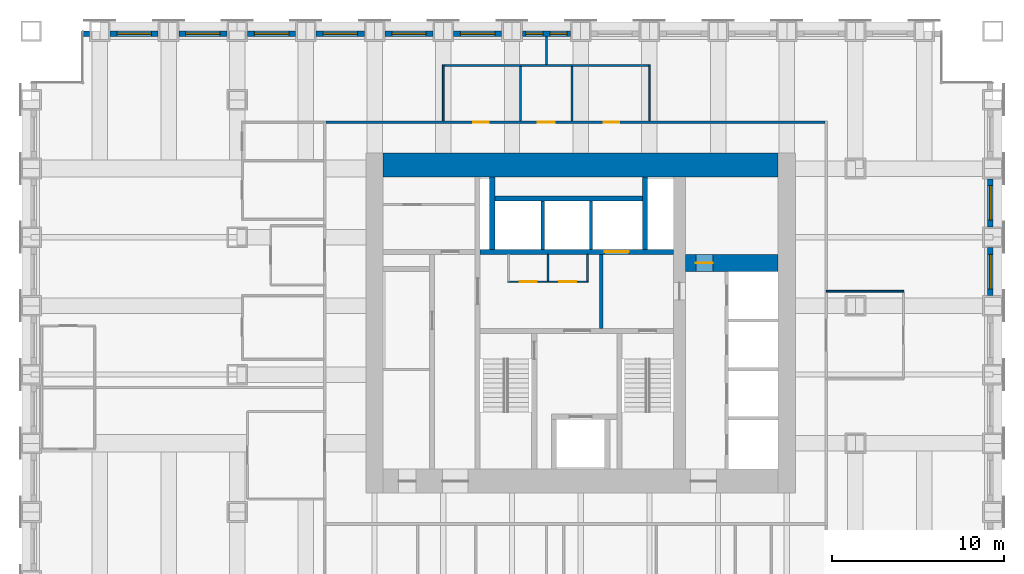
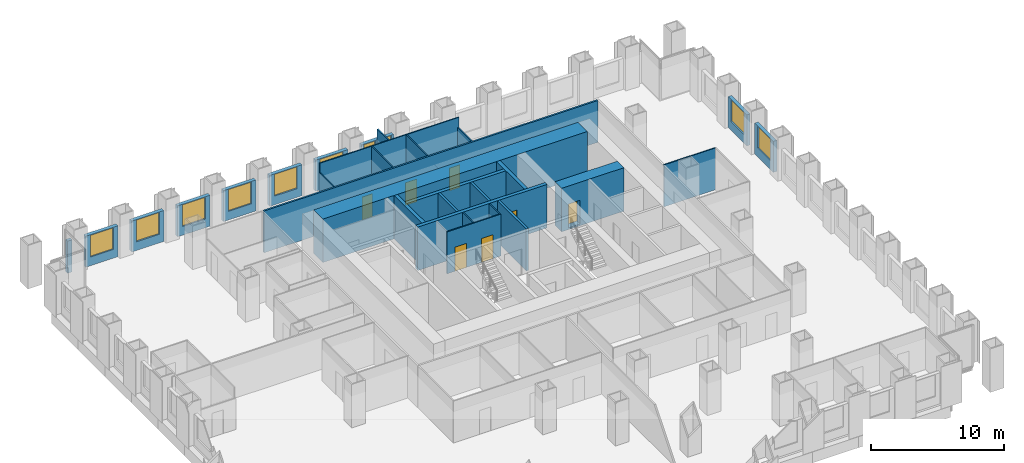
# One storey, part 12 of 15: 30 walls, 10 windows, 7 doors, 17 openings.
"""IFC4 building model written with IfcOpenShell, lengths in metres."""

from ifc_helpers import new_model, si_unit, direction, frame, frame_2d, origin, place, context, subcontext, project, spatial, rectangle, extrude, material, layer, layer_set, type_object, element, fill, save


model = new_model("IFC4")

# Units and contexts
model_context = context("Model", 3, precision=1e-05, world=origin(), true_north=direction((0.0, 1.0)))
body_context = subcontext(model_context, "Body", "Model", "MODEL_VIEW")
ifc_project = project(units=[si_unit("LENGTHUNIT", "METRE"), si_unit("AREAUNIT", "SQUARE_METRE"), si_unit("VOLUMEUNIT", "CUBIC_METRE"), si_unit("PLANEANGLEUNIT", "RADIAN"), si_unit("MASSUNIT", "GRAM", prefix="KILO")], contexts=[model_context])

# Site, building, storey
site_placement = place(None, origin())
site = spatial("IfcSite", under=ifc_project, at=site_placement, CompositionType="ELEMENT")
building_placement = place(site_placement, origin())
building = spatial("IfcBuilding", under=site, at=building_placement, Name="Rimbunsela Tower", CompositionType="ELEMENT")
storey_placement = place(building_placement, frame((0.0, 0.0, 31.0)))
storey = spatial("IfcBuildingStorey", under=building, at=storey_placement, Name="L07", CompositionType="ELEMENT", Elevation=31.0)

# Wall, opening, door
ifc_material_1 = material(Name="Concrete fc' 80 MPa", Category="concrete")
ifc_layer_1 = layer(ifc_material_1, 0.300048828125)
ifc_layer_set_1 = layer_set([ifc_layer_1], Name="Core internal wall 300")
wall_type_1 = type_object("IfcWallType", Name="Core internal wall 300", PredefinedType="SHEAR", material=ifc_layer_set_1)
wall_1_placement = place(storey_placement, frame((24.14990234375, 31.14990234375, -0.14990234375), z_axis=(0.0, 0.0, 1.0), x_axis=(1.0, 0.0, 0.0)))
wall_1 = element("IfcWall", 1, at=wall_1_placement, inside=storey, type_object=wall_type_1, Name="Lift shaft front north", PredefinedType="SHEAR", context=body_context, shape_type="SweptSolid", body=[
    extrude(rectangle(XDim=11.25, YDim=0.300048828125, at=frame_2d((5.625, 0.0))), origin(), (0.0, 0.0, 1.0), 4.0),
])
opening_1_placement = place(wall_1_placement, frame((7.25, 0.0, 0.14990234375)))
opening_1 = element("IfcOpeningElement", 2, at=opening_1_placement, cuts=wall_1, Name="Opening LD3", PredefinedType="OPENING", context=body_context, shape_type="SweptSolid", body=[
    extrude(rectangle(XDim=1.39990234375, YDim=2.39990234375, at=frame_2d((0.699951171875, 1.199951171875))), frame((0.0, 0.159912109375, 0.0), z_axis=(0.0, -1.0, 0.0), x_axis=(1.0, 0.0, 0.0)), (0.0, 0.0, 1.0), 0.320068359375),
])
ifc_material_2 = material(Name="Steel door, fire rated", Category="steel")
door_type_1 = type_object("IfcDoorType", Name="Lift landing door 1400", OperationType="DOUBLE_DOOR_SLIDING", PredefinedType="DOOR", material=ifc_material_2)
door_1_placement = place(opening_1_placement, origin())
door_1 = element("IfcDoor", 3, at=door_1_placement, inside=storey, type_object=door_type_1, Name="Lift landing door FL2", OperationType="DOUBLE_DOOR_SLIDING", OverallHeight=2.39990234375, OverallWidth=1.39990234375, PredefinedType="DOOR", context=body_context, shape_type="SweptSolid", body=[
    extrude(rectangle(XDim=1.39990234375, YDim=2.39990234375, at=frame_2d((0.699951171875, 1.199951171875))), frame((0.0, 0.02490234375, 0.0), z_axis=(0.0, -1.0, 0.0), x_axis=(1.0, 0.0, 0.0)), (0.0, 0.0, 1.0), 0.050048828125),
])
fill(opening_1, door_1)

# Walls
for number, where, z_axis, x_axis, name in (
    (4, (24.85009765625, 31.300048828125, -0.14990234375), (0.0, 0.0, 1.0), (0.0, 1.0, 0.0), "Riser wall"),
    (5, (33.75, 31.300048828125, -0.14990234375), (0.0, 0.0, 1.0), (0.0, 1.0, 0.0), "Riser wall"),
):
    element("IfcWall", number, at=place(storey_placement, frame(where, z_axis=z_axis, x_axis=x_axis)), inside=storey, type_object=wall_type_1, Name=name, PredefinedType="SHEAR", context=body_context, shape_type="SweptSolid", body=[
        extrude(rectangle(XDim=4.199951171875, YDim=0.300048828125, at=frame_2d((2.10009765625, 0.0))), origin(), (0.0, 0.0, 1.0), 4.0),
    ])
wall_2_placement = place(storey_placement, frame((25.0, 34.25, -0.14990234375), z_axis=(0.0, 0.0, 1.0), x_axis=(1.0, 0.0, 0.0)))
element("IfcWall", 6, at=wall_2_placement, inside=storey, type_object=wall_type_1, Name="Lift shaft rear north", PredefinedType="SHEAR", context=body_context, shape_type="SweptSolid", body=[
    extrude(rectangle(XDim=8.60009765625, YDim=0.300048828125, at=frame_2d((4.300048828125, 0.0))), origin(), (0.0, 0.0, 1.0), 4.0),
])

# Wall, openings, doors
ifc_material_3 = material(Name="Concrete blockwork", Category="masonry")
ifc_layer_2 = layer(ifc_material_3, 0.10009765625)
ifc_layer_set_2 = layer_set([ifc_layer_2], Name="Core room partition 100")
wall_type_2 = type_object("IfcWallType", Name="Core room partition 100", PredefinedType="PARTITIONING", material=ifc_layer_set_2)
wall_3_placement = place(storey_placement, frame((25.75, 29.39990234375, 0.0), z_axis=(0.0, 0.0, 1.0), x_axis=(1.0, 0.0, 0.0)))
wall_3 = element("IfcWall", 7, at=wall_3_placement, inside=storey, type_object=wall_type_2, Name="Lobby room wall", PredefinedType="PARTITIONING", context=body_context, shape_type="SweptSolid", body=[
    extrude(rectangle(XDim=4.699951171875, YDim=0.10009765625, at=frame_2d((2.35009765625, 0.0))), origin(), (0.0, 0.0, 1.0), 3.85009765625),
])
opening_2_placement = place(wall_3_placement, frame((0.699951171875, 0.0, 0.0)))
opening_2 = element("IfcOpeningElement", 8, at=opening_2_placement, cuts=wall_3, Name="Opening D19", PredefinedType="OPENING", context=body_context, shape_type="SweptSolid", body=[
    extrude(rectangle(XDim=1.0, YDim=2.199951171875, at=frame_2d((0.5, 1.10009765625))), frame((0.0, 0.06005859375, 0.0), z_axis=(0.0, -1.0, 0.0), x_axis=(1.0, 0.0, 0.0)), (0.0, 0.0, 1.0), 0.1201171875),
])
opening_3_placement = place(wall_3_placement, frame((3.0, 0.0, 0.0)))
opening_3 = element("IfcOpeningElement", 9, at=opening_3_placement, cuts=wall_3, Name="Opening D19", PredefinedType="OPENING", context=body_context, shape_type="SweptSolid", body=[
    extrude(rectangle(XDim=1.0, YDim=2.199951171875, at=frame_2d((0.5, 1.10009765625))), frame((0.0, 0.06005859375, 0.0), z_axis=(0.0, -1.0, 0.0), x_axis=(1.0, 0.0, 0.0)), (0.0, 0.0, 1.0), 0.1201171875),
])
ifc_material_4 = material(Name="Steel door, fire rated", Category="steel")
door_type_2 = type_object("IfcDoorType", Name="Service door 1000 fire rated", OperationType="SINGLE_SWING_LEFT", PredefinedType="DOOR", material=ifc_material_4)
door_2_placement = place(opening_2_placement, origin())
door_2 = element("IfcDoor", 10, at=door_2_placement, inside=storey, type_object=door_type_2, Name="Facilities store door", OperationType="SINGLE_SWING_LEFT", OverallHeight=2.199951171875, OverallWidth=1.0, PredefinedType="DOOR", context=body_context, shape_type="SweptSolid", body=[
    extrude(rectangle(XDim=1.0, YDim=2.199951171875, at=frame_2d((0.5, 1.10009765625))), frame((0.0, 0.02490234375, 0.0), z_axis=(0.0, -1.0, 0.0), x_axis=(1.0, 0.0, 0.0)), (0.0, 0.0, 1.0), 0.050048828125),
])
fill(opening_2, door_2)
door_3_placement = place(opening_3_placement, origin())
door_3 = element("IfcDoor", 11, at=door_3_placement, inside=storey, type_object=door_type_2, Name="IT room door", OperationType="SINGLE_SWING_LEFT", OverallHeight=2.199951171875, OverallWidth=1.0, PredefinedType="DOOR", context=body_context, shape_type="SweptSolid", body=[
    extrude(rectangle(XDim=1.0, YDim=2.199951171875, at=frame_2d((0.5, 1.10009765625))), frame((0.0, 0.02490234375, 0.0), z_axis=(0.0, -1.0, 0.0), x_axis=(1.0, 0.0, 0.0)), (0.0, 0.0, 1.0), 0.050048828125),
])
fill(opening_3, door_3)

# Walls
for number, where, z_axis, x_axis, name in (
    (12, (30.39990234375, 29.449951171875, 0.0), (0.0, 0.0, 1.0), (0.0, 1.0, 0.0), "Lobby room wall"),
    (13, (28.10009765625, 29.449951171875, 0.0), (0.0, 0.0, 1.0), (0.0, 1.0, 0.0), "Lobby room wall"),
):
    element("IfcWall", number, at=place(storey_placement, frame(where, z_axis=z_axis, x_axis=x_axis)), inside=storey, type_object=wall_type_2, Name=name, PredefinedType="PARTITIONING", context=body_context, shape_type="SweptSolid", body=[
        extrude(rectangle(XDim=1.550048828125, YDim=0.10009765625, at=frame_2d((0.77490234375, 0.0))), origin(), (0.0, 0.0, 1.0), 3.85009765625),
    ])

# Wall, opening, door
ifc_material_5 = material(Name="Concrete fc' 80 MPa", Category="concrete")
ifc_layer_3 = layer(ifc_material_5, 1.0)
ifc_layer_set_3 = layer_set([ifc_layer_3], Name="Core wall 1000")
wall_type_3 = type_object("IfcWallType", Name="Core wall 1000", PredefinedType="SHEAR", material=ifc_layer_set_3)
wall_4_placement = place(storey_placement, frame((36.10009765625, 30.5, -0.14990234375), z_axis=(0.0, 0.0, 1.0), x_axis=(1.0, 0.0, 0.0)))
wall_4 = element("IfcWall", 14, at=wall_4_placement, inside=storey, type_object=wall_type_3, Name="Lift shaft rear east", PredefinedType="SHEAR", context=body_context, shape_type="SweptSolid", body=[
    extrude(rectangle(XDim=5.39990234375, YDim=1.0, at=frame_2d((2.699951171875, 0.0))), origin(), (0.0, 0.0, 1.0), 4.0),
])
opening_4_placement = place(wall_4_placement, frame((0.60009765625, 0.0, 0.14990234375)))
opening_4 = element("IfcOpeningElement", 15, at=opening_4_placement, cuts=wall_4, Name="Opening D19", PredefinedType="OPENING", context=body_context, shape_type="SweptSolid", body=[
    extrude(rectangle(XDim=1.0, YDim=2.199951171875, at=frame_2d((0.5, 1.10009765625))), frame((0.0, 0.510009765625, 0.0), z_axis=(0.0, -1.0, 0.0), x_axis=(1.0, 0.0, 0.0)), (0.0, 0.0, 1.0), 1.02001953125),
])
door_4_placement = place(opening_4_placement, origin())
door_4 = element("IfcDoor", 16, at=door_4_placement, inside=storey, type_object=door_type_2, Name="Communications room door", OperationType="SINGLE_SWING_LEFT", OverallHeight=2.199951171875, OverallWidth=1.0, PredefinedType="DOOR", context=body_context, shape_type="SweptSolid", body=[
    extrude(rectangle(XDim=1.0, YDim=2.199951171875, at=frame_2d((0.5, 1.10009765625))), frame((0.0, 0.02490234375, 0.0), z_axis=(0.0, -1.0, 0.0), x_axis=(1.0, 0.0, 0.0)), (0.0, 0.0, 1.0), 0.050048828125),
])
fill(opening_4, door_4)

# Walls
ifc_material_6 = material(Name="Concrete fc' 80 MPa", Category="concrete")
ifc_layer_4 = layer(ifc_material_6, 1.39990234375)
ifc_layer_set_4 = layer_set([ifc_layer_4], Name="Core wall 1400")
wall_type_4 = type_object("IfcWallType", Name="Core wall 1400", PredefinedType="SHEAR", material=ifc_layer_set_4)
wall_5_placement = place(storey_placement, frame((18.5, 36.199951171875, -0.14990234375), z_axis=(0.0, 0.0, 1.0), x_axis=(1.0, 0.0, 0.0)))
element("IfcWall", 17, at=wall_5_placement, inside=storey, type_object=wall_type_4, Name="Core wall north", PredefinedType="SHEAR", context=body_context, shape_type="SweptSolid", body=[
    extrude(rectangle(XDim=23.0, YDim=1.39990234375, at=frame_2d((11.5, 0.0))), origin(), (0.0, 0.0, 1.0), 4.0),
])
ifc_material_7 = material(Name="Concrete blockwork", Category="masonry")
ifc_layer_5 = layer(ifc_material_7, 0.199951171875)
ifc_layer_set_5 = layer_set([ifc_layer_5], Name="Lift shaft wall 200")
wall_type_5 = type_object("IfcWallType", Name="Lift shaft wall 200", PredefinedType="SOLIDWALL", material=ifc_layer_set_5)
for number, where, z_axis, x_axis, name in (
    (18, (27.800048828125, 31.300048828125, -0.14990234375), (0.0, 0.0, 1.0), (0.0, 1.0, 0.0), "Lift shaft separation"),
    (19, (30.60009765625, 31.300048828125, -0.14990234375), (0.0, 0.0, 1.0), (0.0, 1.0, 0.0), "Lift shaft separation"),
):
    element("IfcWall", number, at=place(storey_placement, frame(where, z_axis=z_axis, x_axis=x_axis)), inside=storey, type_object=wall_type_5, Name=name, PredefinedType="SOLIDWALL", context=body_context, shape_type="SweptSolid", body=[
        extrude(rectangle(XDim=2.800048828125, YDim=0.199951171875, at=frame_2d((1.39990234375, 0.0))), origin(), (0.0, 0.0, 1.0), 4.0),
    ])
wall_6_placement = place(storey_placement, frame((31.199951171875, 26.699951171875, 0.0), z_axis=(0.0, 0.0, 1.0), x_axis=(0.0, 1.0, 0.0)))
element("IfcWall", 20, at=wall_6_placement, inside=storey, type_object=wall_type_5, Name="Firefighting lobby 2 wall", PredefinedType="SOLIDWALL", context=body_context, shape_type="SweptSolid", body=[
    extrude(rectangle(XDim=4.300048828125, YDim=0.199951171875, at=frame_2d((2.14990234375, 0.0))), origin(), (0.0, 0.0, 1.0), 3.85009765625),
])
ifc_material_8 = material(Name="Gypsum board on steel studs", Category="steel")
ifc_layer_6 = layer(ifc_material_8, 0.10009765625)
ifc_layer_set_6 = layer_set([ifc_layer_6], Name="Office partition 100")
wall_type_6 = type_object("IfcWallType", Name="Office partition 100", PredefinedType="PARTITIONING", material=ifc_layer_set_6)
wall_7_placement = place(storey_placement, frame((48.800048828125, 28.85009765625, 0.0), z_axis=(0.0, 0.0, 1.0), x_axis=(-1.0, 0.0, 0.0)))
element("IfcWall", 21, at=wall_7_placement, inside=storey, type_object=wall_type_6, Name="Office partition", PredefinedType="PARTITIONING", context=body_context, shape_type="SweptSolid", body=[
    extrude(rectangle(XDim=4.5, YDim=0.10009765625, at=frame_2d((2.25, 0.0))), origin(), (0.0, 0.0, 1.0), 3.85009765625),
])

# Wall, opening, window
ifc_material_9 = material(Name="Precast concrete fc' 35 MPa", Category="concrete")
ifc_layer_7 = layer(ifc_material_9, 0.300048828125)
ifc_layer_set_7 = layer_set([ifc_layer_7], Name="Precast concrete fc' 35 MPa")
wall_type_7 = type_object("IfcWallType", Name="Precast facade panel 300", PredefinedType="ELEMENTEDWALL", material=ifc_layer_set_7)
wall_8_placement = place(storey_placement, frame((53.85009765625, 28.60009765625, 0.0), z_axis=(0.0, 0.0, 1.0), x_axis=(0.0, 1.0, 0.0)))
wall_8 = element("IfcWall", 22, at=wall_8_placement, inside=storey, type_object=wall_type_7, Name="Facade panel E L07", PredefinedType="ELEMENTEDWALL", context=body_context, shape_type="SweptSolid", body=[
    extrude(rectangle(XDim=2.7998046875, YDim=0.300048828125, at=frame_2d((1.39990234375, 0.0))), origin(), (0.0, 0.0, 1.0), 2.85009765625),
])
opening_5_placement = place(wall_8_placement, frame((0.39990234375, 0.0, 0.800048828125)))
opening_5 = element("IfcOpeningElement", 23, at=opening_5_placement, cuts=wall_8, Name="Opening W1", PredefinedType="OPENING", context=body_context, shape_type="SweptSolid", body=[
    extrude(rectangle(XDim=2.0, YDim=2.0, at=frame_2d((1.0, 1.0))), frame((0.0, 0.159912109375, 0.0), z_axis=(0.0, -1.0, 0.0), x_axis=(1.0, 0.0, 0.0)), (0.0, 0.0, 1.0), 0.320068359375),
])
ifc_material_10 = material(Name="Clear glass in aluminium frame", Category="aluminium")
window_type_1 = type_object("IfcWindowType", Name="Window W1 2000x2000", PartitioningType="DOUBLE_PANEL_VERTICAL", PredefinedType="WINDOW", material=ifc_material_10)
window_1_placement = place(opening_5_placement, origin())
window_1 = element("IfcWindow", 24, at=window_1_placement, inside=storey, type_object=window_type_1, Name="Window L07", OverallHeight=2.0, OverallWidth=2.0, PartitioningType="SINGLE_PANEL", PredefinedType="WINDOW", context=body_context, shape_type="SweptSolid", body=[
    extrude(rectangle(XDim=2.0, YDim=2.0, at=frame_2d((1.0, 1.0))), frame((0.0, 0.030029296875, 0.0), z_axis=(0.0, -1.0, 0.0), x_axis=(1.0, 0.0, 0.0)), (0.0, 0.0, 1.0), 0.06005859375),
])
fill(opening_5, window_1)

wall_9_placement = place(storey_placement, frame((53.85009765625, 32.60009765625, 0.0), z_axis=(0.0, 0.0, 1.0), x_axis=(0.0, 1.0, 0.0)))
wall_9 = element("IfcWall", 25, at=wall_9_placement, inside=storey, type_object=wall_type_7, Name="Facade panel E L07", PredefinedType="ELEMENTEDWALL", context=body_context, shape_type="SweptSolid", body=[
    extrude(rectangle(XDim=2.7998046875, YDim=0.300048828125, at=frame_2d((1.39990234375, 0.0))), origin(), (0.0, 0.0, 1.0), 2.85009765625),
])
opening_6_placement = place(wall_9_placement, frame((0.39990234375, 0.0, 0.800048828125)))
opening_6 = element("IfcOpeningElement", 26, at=opening_6_placement, cuts=wall_9, Name="Opening W1", PredefinedType="OPENING", context=body_context, shape_type="SweptSolid", body=[
    extrude(rectangle(XDim=2.0, YDim=2.0, at=frame_2d((1.0, 1.0))), frame((0.0, 0.159912109375, 0.0), z_axis=(0.0, -1.0, 0.0), x_axis=(1.0, 0.0, 0.0)), (0.0, 0.0, 1.0), 0.320068359375),
])
window_2_placement = place(opening_6_placement, origin())
window_2 = element("IfcWindow", 27, at=window_2_placement, inside=storey, type_object=window_type_1, Name="Window L07", OverallHeight=2.0, OverallWidth=2.0, PartitioningType="SINGLE_PANEL", PredefinedType="WINDOW", context=body_context, shape_type="SweptSolid", body=[
    extrude(rectangle(XDim=2.0, YDim=2.0, at=frame_2d((1.0, 1.0))), frame((0.0, 0.030029296875, 0.0), z_axis=(0.0, -1.0, 0.0), x_axis=(1.0, 0.0, 0.0)), (0.0, 0.0, 1.0), 0.06005859375),
])
fill(opening_6, window_2)

# Wall
wall_10_placement = place(storey_placement, frame((1.39990234375, 43.85009765625, 0.0), z_axis=(0.0, 0.0, 1.0), x_axis=(-1.0, 0.0, 0.0)))
element("IfcWall", 28, at=wall_10_placement, inside=storey, type_object=wall_type_7, Name="Facade panel N L07", PredefinedType="ELEMENTEDWALL", context=body_context, shape_type="SweptSolid", body=[
    extrude(rectangle(XDim=0.369873046875, YDim=0.300048828125, at=frame_2d((0.18505859375, 0.0))), origin(), (0.0, 0.0, 1.0), 2.949951171875),
])

# Wall, opening, window
wall_11_placement = place(storey_placement, frame((5.39990234375, 43.85009765625, 0.0), z_axis=(0.0, 0.0, 1.0), x_axis=(-1.0, 0.0, 0.0)))
wall_11 = element("IfcWall", 29, at=wall_11_placement, inside=storey, type_object=wall_type_7, Name="Facade panel N L07", PredefinedType="ELEMENTEDWALL", context=body_context, shape_type="SweptSolid", body=[
    extrude(rectangle(XDim=2.7998046875, YDim=0.300048828125, at=frame_2d((1.39990234375, 0.0))), origin(), (0.0, 0.0, 1.0), 2.85009765625),
])
opening_7_placement = place(wall_11_placement, frame((0.39990234375, 0.0, 0.800048828125)))
opening_7 = element("IfcOpeningElement", 30, at=opening_7_placement, cuts=wall_11, Name="Opening W1", PredefinedType="OPENING", context=body_context, shape_type="SweptSolid", body=[
    extrude(rectangle(XDim=2.0, YDim=2.0, at=frame_2d((1.0, 1.0))), frame((0.0, 0.159912109375, 0.0), z_axis=(0.0, -1.0, 0.0), x_axis=(1.0, 0.0, 0.0)), (0.0, 0.0, 1.0), 0.320068359375),
])
window_3_placement = place(opening_7_placement, origin())
window_3 = element("IfcWindow", 31, at=window_3_placement, inside=storey, type_object=window_type_1, Name="Window L07", OverallHeight=2.0, OverallWidth=2.0, PartitioningType="SINGLE_PANEL", PredefinedType="WINDOW", context=body_context, shape_type="SweptSolid", body=[
    extrude(rectangle(XDim=2.0, YDim=2.0, at=frame_2d((1.0, 1.0))), frame((0.0, 0.030029296875, 0.0), z_axis=(0.0, -1.0, 0.0), x_axis=(1.0, 0.0, 0.0)), (0.0, 0.0, 1.0), 0.06005859375),
])
fill(opening_7, window_3)

wall_12_placement = place(storey_placement, frame((9.39990234375, 43.85009765625, 0.0), z_axis=(0.0, 0.0, 1.0), x_axis=(-1.0, 0.0, 0.0)))
wall_12 = element("IfcWall", 32, at=wall_12_placement, inside=storey, type_object=wall_type_7, Name="Facade panel N L07", PredefinedType="ELEMENTEDWALL", context=body_context, shape_type="SweptSolid", body=[
    extrude(rectangle(XDim=2.7998046875, YDim=0.300048828125, at=frame_2d((1.39990234375, 0.0))), origin(), (0.0, 0.0, 1.0), 2.85009765625),
])
opening_8_placement = place(wall_12_placement, frame((0.39990234375, 0.0, 0.800048828125)))
opening_8 = element("IfcOpeningElement", 33, at=opening_8_placement, cuts=wall_12, Name="Opening W1", PredefinedType="OPENING", context=body_context, shape_type="SweptSolid", body=[
    extrude(rectangle(XDim=2.0, YDim=2.0, at=frame_2d((1.0, 1.0))), frame((0.0, 0.159912109375, 0.0), z_axis=(0.0, -1.0, 0.0), x_axis=(1.0, 0.0, 0.0)), (0.0, 0.0, 1.0), 0.320068359375),
])
window_4_placement = place(opening_8_placement, origin())
window_4 = element("IfcWindow", 34, at=window_4_placement, inside=storey, type_object=window_type_1, Name="Window L07", OverallHeight=2.0, OverallWidth=2.0, PartitioningType="SINGLE_PANEL", PredefinedType="WINDOW", context=body_context, shape_type="SweptSolid", body=[
    extrude(rectangle(XDim=2.0, YDim=2.0, at=frame_2d((1.0, 1.0))), frame((0.0, 0.030029296875, 0.0), z_axis=(0.0, -1.0, 0.0), x_axis=(1.0, 0.0, 0.0)), (0.0, 0.0, 1.0), 0.06005859375),
])
fill(opening_8, window_4)

wall_13_placement = place(storey_placement, frame((13.39990234375, 43.85009765625, 0.0), z_axis=(0.0, 0.0, 1.0), x_axis=(-1.0, 0.0, 0.0)))
wall_13 = element("IfcWall", 35, at=wall_13_placement, inside=storey, type_object=wall_type_7, Name="Facade panel N L07", PredefinedType="ELEMENTEDWALL", context=body_context, shape_type="SweptSolid", body=[
    extrude(rectangle(XDim=2.7998046875, YDim=0.300048828125, at=frame_2d((1.39990234375, 0.0))), origin(), (0.0, 0.0, 1.0), 2.85009765625),
])
opening_9_placement = place(wall_13_placement, frame((0.39990234375, 0.0, 0.800048828125)))
opening_9 = element("IfcOpeningElement", 36, at=opening_9_placement, cuts=wall_13, Name="Opening W1", PredefinedType="OPENING", context=body_context, shape_type="SweptSolid", body=[
    extrude(rectangle(XDim=2.0, YDim=2.0, at=frame_2d((1.0, 1.0))), frame((0.0, 0.159912109375, 0.0), z_axis=(0.0, -1.0, 0.0), x_axis=(1.0, 0.0, 0.0)), (0.0, 0.0, 1.0), 0.320068359375),
])
window_5_placement = place(opening_9_placement, origin())
window_5 = element("IfcWindow", 37, at=window_5_placement, inside=storey, type_object=window_type_1, Name="Window L07", OverallHeight=2.0, OverallWidth=2.0, PartitioningType="SINGLE_PANEL", PredefinedType="WINDOW", context=body_context, shape_type="SweptSolid", body=[
    extrude(rectangle(XDim=2.0, YDim=2.0, at=frame_2d((1.0, 1.0))), frame((0.0, 0.030029296875, 0.0), z_axis=(0.0, -1.0, 0.0), x_axis=(1.0, 0.0, 0.0)), (0.0, 0.0, 1.0), 0.06005859375),
])
fill(opening_9, window_5)

wall_14_placement = place(storey_placement, frame((17.39990234375, 43.85009765625, 0.0), z_axis=(0.0, 0.0, 1.0), x_axis=(-1.0, 0.0, 0.0)))
wall_14 = element("IfcWall", 38, at=wall_14_placement, inside=storey, type_object=wall_type_7, Name="Facade panel N L07", PredefinedType="ELEMENTEDWALL", context=body_context, shape_type="SweptSolid", body=[
    extrude(rectangle(XDim=2.7998046875, YDim=0.300048828125, at=frame_2d((1.39990234375, 0.0))), origin(), (0.0, 0.0, 1.0), 2.85009765625),
])
opening_10_placement = place(wall_14_placement, frame((0.39990234375, 0.0, 0.800048828125)))
opening_10 = element("IfcOpeningElement", 39, at=opening_10_placement, cuts=wall_14, Name="Opening W1", PredefinedType="OPENING", context=body_context, shape_type="SweptSolid", body=[
    extrude(rectangle(XDim=2.0, YDim=2.0, at=frame_2d((1.0, 1.0))), frame((0.0, 0.159912109375, 0.0), z_axis=(0.0, -1.0, 0.0), x_axis=(1.0, 0.0, 0.0)), (0.0, 0.0, 1.0), 0.320068359375),
])
window_6_placement = place(opening_10_placement, origin())
window_6 = element("IfcWindow", 40, at=window_6_placement, inside=storey, type_object=window_type_1, Name="Window L07", OverallHeight=2.0, OverallWidth=2.0, PartitioningType="SINGLE_PANEL", PredefinedType="WINDOW", context=body_context, shape_type="SweptSolid", body=[
    extrude(rectangle(XDim=2.0, YDim=2.0, at=frame_2d((1.0, 1.0))), frame((0.0, 0.030029296875, 0.0), z_axis=(0.0, -1.0, 0.0), x_axis=(1.0, 0.0, 0.0)), (0.0, 0.0, 1.0), 0.06005859375),
])
fill(opening_10, window_6)

wall_15_placement = place(storey_placement, frame((21.39990234375, 43.85009765625, 0.0), z_axis=(0.0, 0.0, 1.0), x_axis=(-1.0, 0.0, 0.0)))
wall_15 = element("IfcWall", 41, at=wall_15_placement, inside=storey, type_object=wall_type_7, Name="Facade panel N L07", PredefinedType="ELEMENTEDWALL", context=body_context, shape_type="SweptSolid", body=[
    extrude(rectangle(XDim=2.7998046875, YDim=0.300048828125, at=frame_2d((1.39990234375, 0.0))), origin(), (0.0, 0.0, 1.0), 2.85009765625),
])
opening_11_placement = place(wall_15_placement, frame((0.39990234375, 0.0, 0.800048828125)))
opening_11 = element("IfcOpeningElement", 42, at=opening_11_placement, cuts=wall_15, Name="Opening W1", PredefinedType="OPENING", context=body_context, shape_type="SweptSolid", body=[
    extrude(rectangle(XDim=2.0, YDim=2.0, at=frame_2d((1.0, 1.0))), frame((0.0, 0.159912109375, 0.0), z_axis=(0.0, -1.0, 0.0), x_axis=(1.0, 0.0, 0.0)), (0.0, 0.0, 1.0), 0.320068359375),
])
window_7_placement = place(opening_11_placement, origin())
window_7 = element("IfcWindow", 43, at=window_7_placement, inside=storey, type_object=window_type_1, Name="Window L07", OverallHeight=2.0, OverallWidth=2.0, PartitioningType="SINGLE_PANEL", PredefinedType="WINDOW", context=body_context, shape_type="SweptSolid", body=[
    extrude(rectangle(XDim=2.0, YDim=2.0, at=frame_2d((1.0, 1.0))), frame((0.0, 0.030029296875, 0.0), z_axis=(0.0, -1.0, 0.0), x_axis=(1.0, 0.0, 0.0)), (0.0, 0.0, 1.0), 0.06005859375),
])
fill(opening_11, window_7)

wall_16_placement = place(storey_placement, frame((25.39990234375, 43.85009765625, 0.0), z_axis=(0.0, 0.0, 1.0), x_axis=(-1.0, 0.0, 0.0)))
wall_16 = element("IfcWall", 44, at=wall_16_placement, inside=storey, type_object=wall_type_7, Name="Facade panel N L07", PredefinedType="ELEMENTEDWALL", context=body_context, shape_type="SweptSolid", body=[
    extrude(rectangle(XDim=2.7998046875, YDim=0.300048828125, at=frame_2d((1.39990234375, 0.0))), origin(), (0.0, 0.0, 1.0), 2.85009765625),
])
opening_12_placement = place(wall_16_placement, frame((0.39990234375, 0.0, 0.800048828125)))
opening_12 = element("IfcOpeningElement", 45, at=opening_12_placement, cuts=wall_16, Name="Opening W1", PredefinedType="OPENING", context=body_context, shape_type="SweptSolid", body=[
    extrude(rectangle(XDim=2.0, YDim=2.0, at=frame_2d((1.0, 1.0))), frame((0.0, 0.159912109375, 0.0), z_axis=(0.0, -1.0, 0.0), x_axis=(1.0, 0.0, 0.0)), (0.0, 0.0, 1.0), 0.320068359375),
])
window_8_placement = place(opening_12_placement, origin())
window_8 = element("IfcWindow", 46, at=window_8_placement, inside=storey, type_object=window_type_1, Name="Window L07", OverallHeight=2.0, OverallWidth=2.0, PartitioningType="SINGLE_PANEL", PredefinedType="WINDOW", context=body_context, shape_type="SweptSolid", body=[
    extrude(rectangle(XDim=2.0, YDim=2.0, at=frame_2d((1.0, 1.0))), frame((0.0, 0.030029296875, 0.0), z_axis=(0.0, -1.0, 0.0), x_axis=(1.0, 0.0, 0.0)), (0.0, 0.0, 1.0), 0.06005859375),
])
fill(opening_12, window_8)

# Wall, openings, windows
wall_17_placement = place(storey_placement, frame((29.39990234375, 43.85009765625, 0.0), z_axis=(0.0, 0.0, 1.0), x_axis=(-1.0, 0.0, 0.0)))
wall_17 = element("IfcWall", 47, at=wall_17_placement, inside=storey, type_object=wall_type_7, Name="Facade panel N L07", PredefinedType="ELEMENTEDWALL", context=body_context, shape_type="SweptSolid", body=[
    extrude(rectangle(XDim=2.7998046875, YDim=0.300048828125, at=frame_2d((1.39990234375, 0.0))), origin(), (0.0, 0.0, 1.0), 2.85009765625),
])
opening_13_placement = place(wall_17_placement, frame((1.60009765625, 0.0, 0.800048828125)))
opening_13 = element("IfcOpeningElement", 48, at=opening_13_placement, cuts=wall_17, Name="Opening W5", PredefinedType="OPENING", context=body_context, shape_type="SweptSolid", body=[
    extrude(rectangle(XDim=1.0, YDim=2.0, at=frame_2d((0.5, 1.0))), frame((0.0, 0.159912109375, 0.0), z_axis=(0.0, -1.0, 0.0), x_axis=(1.0, 0.0, 0.0)), (0.0, 0.0, 1.0), 0.320068359375),
])
opening_14_placement = place(wall_17_placement, frame((0.199951171875, 0.0, 0.800048828125)))
opening_14 = element("IfcOpeningElement", 49, at=opening_14_placement, cuts=wall_17, Name="Opening W5", PredefinedType="OPENING", context=body_context, shape_type="SweptSolid", body=[
    extrude(rectangle(XDim=1.0, YDim=2.0, at=frame_2d((0.5, 1.0))), frame((0.0, 0.159912109375, 0.0), z_axis=(0.0, -1.0, 0.0), x_axis=(1.0, 0.0, 0.0)), (0.0, 0.0, 1.0), 0.320068359375),
])
ifc_material_11 = material(Name="Clear glass in aluminium frame", Category="aluminium")
window_type_2 = type_object("IfcWindowType", Name="Window W5 1000x2000", PartitioningType="SINGLE_PANEL", PredefinedType="WINDOW", material=ifc_material_11)
window_9_placement = place(opening_13_placement, origin())
window_9 = element("IfcWindow", 50, at=window_9_placement, inside=storey, type_object=window_type_2, Name="Window L07", OverallHeight=2.0, OverallWidth=1.0, PartitioningType="SINGLE_PANEL", PredefinedType="WINDOW", context=body_context, shape_type="SweptSolid", body=[
    extrude(rectangle(XDim=1.0, YDim=2.0, at=frame_2d((0.5, 1.0))), frame((0.0, 0.030029296875, 0.0), z_axis=(0.0, -1.0, 0.0), x_axis=(1.0, 0.0, 0.0)), (0.0, 0.0, 1.0), 0.06005859375),
])
fill(opening_13, window_9)
window_10_placement = place(opening_14_placement, origin())
window_10 = element("IfcWindow", 51, at=window_10_placement, inside=storey, type_object=window_type_2, Name="Window L07", OverallHeight=2.0, OverallWidth=1.0, PartitioningType="SINGLE_PANEL", PredefinedType="WINDOW", context=body_context, shape_type="SweptSolid", body=[
    extrude(rectangle(XDim=1.0, YDim=2.0, at=frame_2d((0.5, 1.0))), frame((0.0, 0.030029296875, 0.0), z_axis=(0.0, -1.0, 0.0), x_axis=(1.0, 0.0, 0.0)), (0.0, 0.0, 1.0), 0.06005859375),
])
fill(opening_14, window_10)

# Wall, openings, doors
ifc_material_12 = material(Name="Fire-rated gypsum board on steel studs, EI 60", Category="steel")
ifc_layer_8 = layer(ifc_material_12, 0.14990234375)
ifc_layer_set_8 = layer_set([ifc_layer_8], Name="Rated corridor wall 150")
wall_type_8 = type_object("IfcWallType", Name="Rated corridor wall 150", PredefinedType="PARTITIONING", material=ifc_layer_set_8)
wall_18_placement = place(storey_placement, frame((15.175048828125, 38.699951171875, 0.0), z_axis=(0.0, 0.0, 1.0), x_axis=(1.0, 0.0, 0.0)))
wall_18 = element("IfcWall", 52, at=wall_18_placement, inside=storey, type_object=wall_type_8, Name="Corridor wall north", PredefinedType="PARTITIONING", context=body_context, shape_type="SweptSolid", body=[
    extrude(rectangle(XDim=29.050048828125, YDim=0.14990234375, at=frame_2d((14.52490234375, 0.0))), origin(), (0.0, 0.0, 1.0), 3.85009765625),
])
opening_15_placement = place(wall_18_placement, frame((8.574951171875, 0.0, 0.0)))
opening_15 = element("IfcOpeningElement", 53, at=opening_15_placement, cuts=wall_18, Name="Opening D04", PredefinedType="OPENING", context=body_context, shape_type="SweptSolid", body=[
    extrude(rectangle(XDim=0.89990234375, YDim=2.10009765625, at=frame_2d((0.449951171875, 1.050048828125))), frame((0.0, 0.0849609375, 0.0), z_axis=(0.0, -1.0, 0.0), x_axis=(1.0, 0.0, 0.0)), (0.0, 0.0, 1.0), 0.169921875),
])
opening_16_placement = place(wall_18_placement, frame((12.324951171875, 0.0, 0.0)))
opening_16 = element("IfcOpeningElement", 54, at=opening_16_placement, cuts=wall_18, Name="Opening D05", PredefinedType="OPENING", context=body_context, shape_type="SweptSolid", body=[
    extrude(rectangle(XDim=1.0, YDim=2.10009765625, at=frame_2d((0.5, 1.050048828125))), frame((0.0, 0.0849609375, 0.0), z_axis=(0.0, -1.0, 0.0), x_axis=(1.0, 0.0, 0.0)), (0.0, 0.0, 1.0), 0.169921875),
])
opening_17_placement = place(wall_18_placement, frame((16.175048828125, 0.0, 0.0)))
opening_17 = element("IfcOpeningElement", 55, at=opening_17_placement, cuts=wall_18, Name="Opening D04", PredefinedType="OPENING", context=body_context, shape_type="SweptSolid", body=[
    extrude(rectangle(XDim=0.89990234375, YDim=2.10009765625, at=frame_2d((0.449951171875, 1.050048828125))), frame((0.0, 0.0849609375, 0.0), z_axis=(0.0, -1.0, 0.0), x_axis=(1.0, 0.0, 0.0)), (0.0, 0.0, 1.0), 0.169921875),
])
ifc_material_13 = material(Name="Timber door", Category="wood")
door_type_3 = type_object("IfcDoorType", Name="Accessible WC door 1000", OperationType="SLIDING_TO_LEFT", PredefinedType="DOOR", material=ifc_material_13)
door_5_placement = place(opening_16_placement, origin())
door_5 = element("IfcDoor", 56, at=door_5_placement, inside=storey, type_object=door_type_3, Name="Accessible WC door", OperationType="SLIDING_TO_LEFT", OverallHeight=2.10009765625, OverallWidth=1.0, PredefinedType="DOOR", context=body_context, shape_type="SweptSolid", body=[
    extrude(rectangle(XDim=1.0, YDim=2.10009765625, at=frame_2d((0.5, 1.050048828125))), frame((0.0, 0.02490234375, 0.0), z_axis=(0.0, -1.0, 0.0), x_axis=(1.0, 0.0, 0.0)), (0.0, 0.0, 1.0), 0.050048828125),
])
fill(opening_16, door_5)
ifc_material_14 = material(Name="Timber door", Category="wood")
door_type_4 = type_object("IfcDoorType", Name="Toilet door 900", OperationType="SINGLE_SWING_LEFT", PredefinedType="DOOR", material=ifc_material_14)
door_6_placement = place(opening_15_placement, origin())
door_6 = element("IfcDoor", 57, at=door_6_placement, inside=storey, type_object=door_type_4, Name="Female WC door", OperationType="SINGLE_SWING_LEFT", OverallHeight=2.10009765625, OverallWidth=0.89990234375, PredefinedType="DOOR", context=body_context, shape_type="SweptSolid", body=[
    extrude(rectangle(XDim=0.89990234375, YDim=2.10009765625, at=frame_2d((0.449951171875, 1.050048828125))), frame((0.0, 0.02490234375, 0.0), z_axis=(0.0, -1.0, 0.0), x_axis=(1.0, 0.0, 0.0)), (0.0, 0.0, 1.0), 0.050048828125),
])
fill(opening_15, door_6)
door_7_placement = place(opening_17_placement, origin())
door_7 = element("IfcDoor", 58, at=door_7_placement, inside=storey, type_object=door_type_4, Name="Male WC door", OperationType="SINGLE_SWING_LEFT", OverallHeight=2.10009765625, OverallWidth=0.89990234375, PredefinedType="DOOR", context=body_context, shape_type="SweptSolid", body=[
    extrude(rectangle(XDim=0.89990234375, YDim=2.10009765625, at=frame_2d((0.449951171875, 1.050048828125))), frame((0.0, 0.02490234375, 0.0), z_axis=(0.0, -1.0, 0.0), x_axis=(1.0, 0.0, 0.0)), (0.0, 0.0, 1.0), 0.050048828125),
])
fill(opening_17, door_7)

# Walls
ifc_material_15 = material(Name="Gypsum board on steel studs", Category="steel")
ifc_layer_9 = layer(ifc_material_15, 0.1201171875)
ifc_layer_set_9 = layer_set([ifc_layer_9], Name="Tenancy partition 120")
wall_type_9 = type_object("IfcWallType", Name="Tenancy partition 120", PredefinedType="PARTITIONING", material=ifc_layer_set_9)
wall_19_placement = place(storey_placement, frame((28.0, 42.050048828125, 0.0), z_axis=(0.0, 0.0, 1.0), x_axis=(0.0, 1.0, 0.0)))
element("IfcWall", 59, at=wall_19_placement, inside=storey, type_object=wall_type_9, Name="Tenancy partition north", PredefinedType="PARTITIONING", context=body_context, shape_type="SweptSolid", body=[
    extrude(rectangle(XDim=1.64990234375, YDim=0.1201171875, at=frame_2d((0.824951171875, 0.0))), origin(), (0.0, 0.0, 1.0), 3.85009765625),
])
ifc_material_16 = material(Name="Concrete blockwork", Category="masonry")
ifc_layer_10 = layer(ifc_material_16, 0.10009765625)
ifc_layer_set_10 = layer_set([ifc_layer_10], Name="Toilet partition 100")
wall_type_10 = type_object("IfcWallType", Name="Toilet partition 100", PredefinedType="PARTITIONING", material=ifc_layer_set_10)
for number, where, z_axis, x_axis, name in (
    (60, (22.0, 38.77490234375, 0.0), (0.0, 0.0, 1.0), (0.0, 1.0, 0.0), "Toilet block wall west"),
    (61, (34.0, 38.77490234375, 0.0), (0.0, 0.0, 1.0), (0.0, 1.0, 0.0), "Toilet block wall east"),
):
    element("IfcWall", number, at=place(storey_placement, frame(where, z_axis=z_axis, x_axis=x_axis)), inside=storey, type_object=wall_type_10, Name=name, PredefinedType="PARTITIONING", context=body_context, shape_type="SweptSolid", body=[
        extrude(rectangle(XDim=3.275146484375, YDim=0.10009765625, at=frame_2d((1.6376953125, 0.0))), origin(), (0.0, 0.0, 1.0), 2.949951171875),
    ])
wall_20_placement = place(storey_placement, frame((21.949951171875, 42.0, 0.0), z_axis=(0.0, 0.0, 1.0), x_axis=(1.0, 0.0, 0.0)))
element("IfcWall", 62, at=wall_20_placement, inside=storey, type_object=wall_type_10, Name="Toilet block wall north", PredefinedType="PARTITIONING", context=body_context, shape_type="SweptSolid", body=[
    extrude(rectangle(XDim=12.10009765625, YDim=0.10009765625, at=frame_2d((6.050048828125, 0.0))), origin(), (0.0, 0.0, 1.0), 3.85009765625),
])
for number, where, z_axis, x_axis, name in (
    (63, (26.5, 38.77490234375, 0.0), (0.0, 0.0, 1.0), (0.0, 1.0, 0.0), "Toilet partition"),
    (64, (29.5, 38.77490234375, 0.0), (0.0, 0.0, 1.0), (0.0, 1.0, 0.0), "Toilet partition"),
):
    element("IfcWall", number, at=place(storey_placement, frame(where, z_axis=z_axis, x_axis=x_axis)), inside=storey, type_object=wall_type_10, Name=name, PredefinedType="PARTITIONING", context=body_context, shape_type="SweptSolid", body=[
        extrude(rectangle(XDim=3.175048828125, YDim=0.10009765625, at=frame_2d((1.58740234375, 0.0))), origin(), (0.0, 0.0, 1.0), 3.85009765625),
    ])

save(model, "model.ifc")
